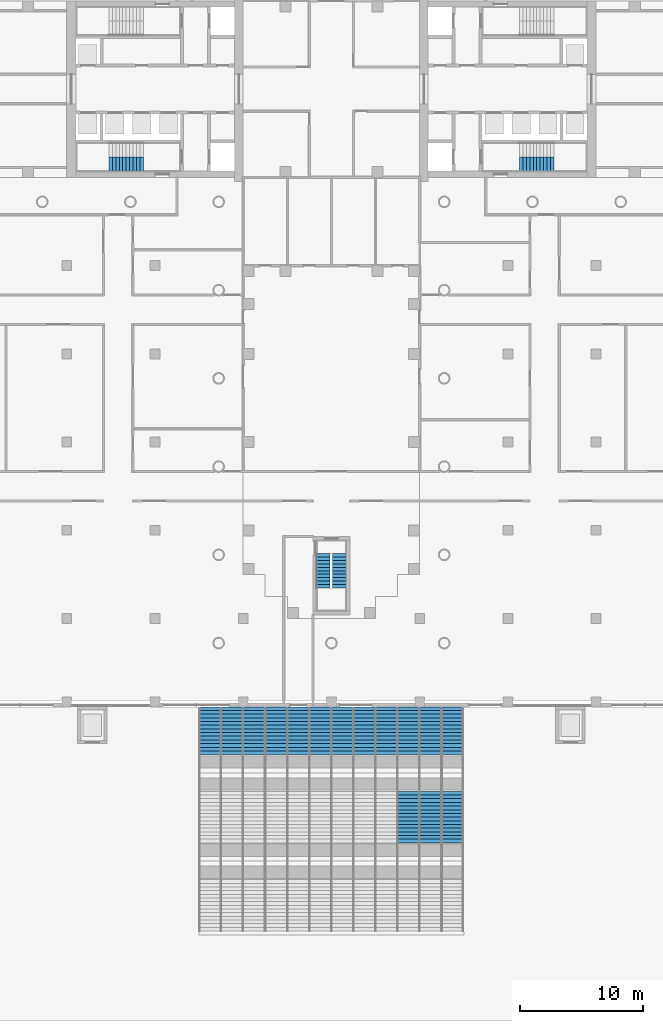
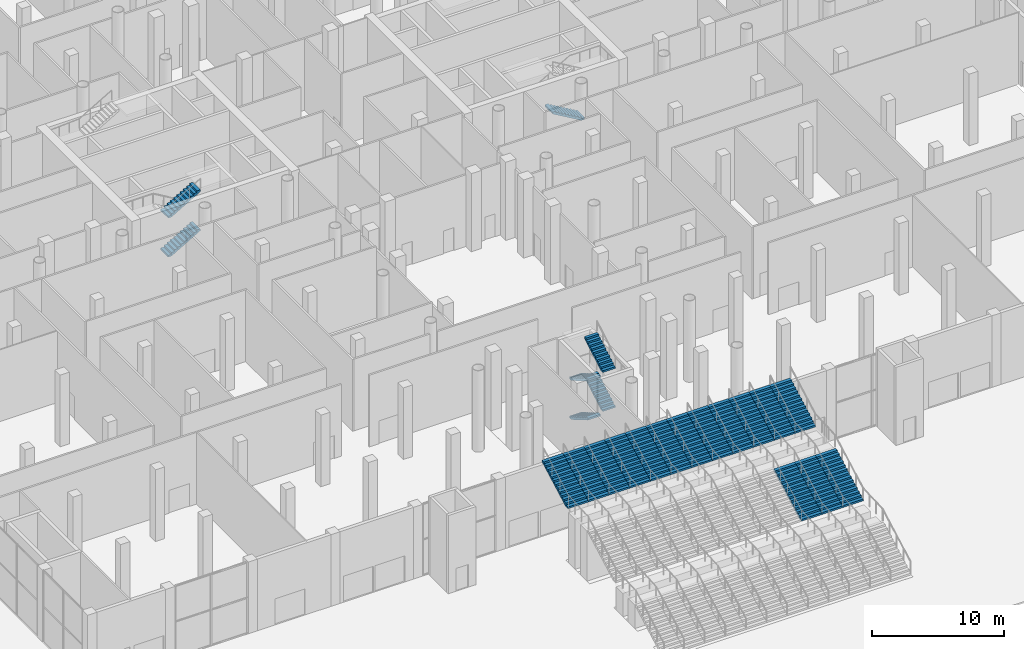
# One storey, part 32 of 44: 22 stair flights, 4 elements without a shape of their own.
"""IFC4 building model written with IfcOpenShell, lengths in metres."""

from ifc_helpers import new_model, si_unit, direction, frame, origin, place, context, subcontext, project, spatial, polyline, outline, extrude, material, type_object, element, aggregate, save


model = new_model("IFC4")

# Units and contexts
model_context = context("Model", 3, precision=1e-05, world=origin(), true_north=direction((0.0, 1.0)))
body_context = subcontext(model_context, "Body", "Model", "MODEL_VIEW")
ifc_project = project(units=[si_unit("LENGTHUNIT", "METRE"), si_unit("AREAUNIT", "SQUARE_METRE"), si_unit("VOLUMEUNIT", "CUBIC_METRE"), si_unit("PLANEANGLEUNIT", "RADIAN"), si_unit("MASSUNIT", "GRAM", prefix="KILO")], contexts=[model_context])

# Site, building, storey
site_placement = place(None, origin())
site = spatial("IfcSite", under=ifc_project, at=site_placement, CompositionType="ELEMENT")
building_placement = place(site_placement, origin())
building = spatial("IfcBuilding", under=site, at=building_placement, Name="Fustian Cross Tower", CompositionType="ELEMENT")
storey_placement = place(building_placement, origin())
storey = spatial("IfcBuildingStorey", under=building, at=storey_placement, Name="L00", CompositionType="ELEMENT", Elevation=0.0)

# Stair, stair flights
ifc_material_1 = material(Name="Concrete C40/50", Category="concrete")
stair_type_1 = type_object("IfcStairType", Name="PUBLIC STAIR", PredefinedType="STRAIGHT_RUN_STAIR", material=ifc_material_1)
stair_1_placement = place(storey_placement, origin())
stair_1 = element("IfcStair", 1, at=stair_1_placement, inside=storey, type_object=stair_type_1, Name="Public street stair", PredefinedType="STRAIGHT_RUN_STAIR")
ifc_material_2 = material(Name="Concrete C40/50", Category="concrete")
stair_flight_type_1 = type_object("IfcStairFlightType", Name="PUBLIC STAIR FLIGHT", PredefinedType="STRAIGHT", material=ifc_material_2)
stair_flight_1_placement = place(storey_placement, frame((6.300048828125, -61.5, 2.45458984375), z_axis=(0.0, 0.0, 1.0), x_axis=(0.0, 1.0, 0.0)))
stair_flight_1 = element("IfcStairFlight", 2, at=stair_flight_1_placement, type_object=stair_flight_type_1, Name="ST7 flight 22", NumberOfRisers=15, NumberOfTreads=14, PredefinedType="STRAIGHT", RiserHeight=0.163636364, TreadLength=0.3, context=body_context, shape_type="SweptSolid", body=[
    extrude(outline(polyline([(0.0, 0.0), (0.0, 0.16357421875), (0.300048828125, 0.16357421875), (0.300048828125, 0.327392578125), (0.60009765625, 0.327392578125), (0.60009765625, 0.490966796875), (0.89990234375, 0.490966796875), (0.89990234375, 0.654541015625), (1.199951171875, 0.654541015625), (1.199951171875, 0.818115234375), (1.5, 0.818115234375), (1.5, 0.98193359375), (1.800048828125, 0.98193359375), (1.800048828125, 1.1455078125), (2.10009765625, 1.1455078125), (2.10009765625, 1.30908203125), (2.39990234375, 1.30908203125), (2.39990234375, 1.47265625), (2.699951171875, 1.47265625), (2.699951171875, 1.636474609375), (3.0, 1.636474609375), (3.0, 1.800048828125), (3.300048828125, 1.800048828125), (3.300048828125, 1.963623046875), (3.60009765625, 1.963623046875), (3.60009765625, 2.127197265625), (3.89990234375, 2.127197265625), (3.89990234375, 2.291015625), (4.199951171875, 2.291015625), (4.199951171875, 2.45458984375), (4.199951171875, 2.1201171875), (0.31298828125, 0.0), (0.0, 0.0)])), frame((0.0, 0.89990234375, 0.0), z_axis=(0.0, -1.0, 0.0), x_axis=(1.0, 0.0, 0.0)), (0.0, 0.0, 1.0), 1.800048828125),
])
stair_flight_2_placement = place(storey_placement, frame((8.10009765625, -61.5, 2.45458984375), z_axis=(0.0, 0.0, 1.0), x_axis=(0.0, 1.0, 0.0)))
stair_flight_2 = element("IfcStairFlight", 3, at=stair_flight_2_placement, type_object=stair_flight_type_1, Name="ST7 flight 23", NumberOfRisers=15, NumberOfTreads=14, PredefinedType="STRAIGHT", RiserHeight=0.163636364, TreadLength=0.3, context=body_context, shape_type="SweptSolid", body=[
    extrude(outline(polyline([(0.0, 0.0), (0.0, 0.16357421875), (0.300048828125, 0.16357421875), (0.300048828125, 0.327392578125), (0.60009765625, 0.327392578125), (0.60009765625, 0.490966796875), (0.89990234375, 0.490966796875), (0.89990234375, 0.654541015625), (1.199951171875, 0.654541015625), (1.199951171875, 0.818115234375), (1.5, 0.818115234375), (1.5, 0.98193359375), (1.800048828125, 0.98193359375), (1.800048828125, 1.1455078125), (2.10009765625, 1.1455078125), (2.10009765625, 1.30908203125), (2.39990234375, 1.30908203125), (2.39990234375, 1.47265625), (2.699951171875, 1.47265625), (2.699951171875, 1.636474609375), (3.0, 1.636474609375), (3.0, 1.800048828125), (3.300048828125, 1.800048828125), (3.300048828125, 1.963623046875), (3.60009765625, 1.963623046875), (3.60009765625, 2.127197265625), (3.89990234375, 2.127197265625), (3.89990234375, 2.291015625), (4.199951171875, 2.291015625), (4.199951171875, 2.45458984375), (4.199951171875, 2.1201171875), (0.31298828125, 0.0), (0.0, 0.0)])), frame((0.0, 0.89990234375, 0.0), z_axis=(0.0, -1.0, 0.0), x_axis=(1.0, 0.0, 0.0)), (0.0, 0.0, 1.0), 1.800048828125),
])
stair_flight_3_placement = place(storey_placement, frame((9.89990234375, -61.5, 2.45458984375), z_axis=(0.0, 0.0, 1.0), x_axis=(0.0, 1.0, 0.0)))
stair_flight_3 = element("IfcStairFlight", 4, at=stair_flight_3_placement, type_object=stair_flight_type_1, Name="ST7 flight 24", NumberOfRisers=15, NumberOfTreads=14, PredefinedType="STRAIGHT", RiserHeight=0.163636364, TreadLength=0.3, context=body_context, shape_type="SweptSolid", body=[
    extrude(outline(polyline([(0.0, 0.0), (0.0, 0.16357421875), (0.300048828125, 0.16357421875), (0.300048828125, 0.327392578125), (0.60009765625, 0.327392578125), (0.60009765625, 0.490966796875), (0.89990234375, 0.490966796875), (0.89990234375, 0.654541015625), (1.199951171875, 0.654541015625), (1.199951171875, 0.818115234375), (1.5, 0.818115234375), (1.5, 0.98193359375), (1.800048828125, 0.98193359375), (1.800048828125, 1.1455078125), (2.10009765625, 1.1455078125), (2.10009765625, 1.30908203125), (2.39990234375, 1.30908203125), (2.39990234375, 1.47265625), (2.699951171875, 1.47265625), (2.699951171875, 1.636474609375), (3.0, 1.636474609375), (3.0, 1.800048828125), (3.300048828125, 1.800048828125), (3.300048828125, 1.963623046875), (3.60009765625, 1.963623046875), (3.60009765625, 2.127197265625), (3.89990234375, 2.127197265625), (3.89990234375, 2.291015625), (4.199951171875, 2.291015625), (4.199951171875, 2.45458984375), (4.199951171875, 2.1201171875), (0.31298828125, 0.0), (0.0, 0.0)])), frame((0.0, 0.89990234375, 0.0), z_axis=(0.0, -1.0, 0.0), x_axis=(1.0, 0.0, 0.0)), (0.0, 0.0, 1.0), 1.800048828125),
])
stair_flight_4_placement = place(storey_placement, frame((-9.89990234375, -54.300048828125, 4.9091796875), z_axis=(0.0, 0.0, 1.0), x_axis=(0.0, 1.0, 0.0)))
stair_flight_4 = element("IfcStairFlight", 5, at=stair_flight_4_placement, type_object=stair_flight_type_1, Name="ST7 flight 25", NumberOfRisers=14, NumberOfTreads=13, PredefinedType="STRAIGHT", RiserHeight=0.163636364, TreadLength=0.3, context=body_context, shape_type="SweptSolid", body=[
    extrude(outline(polyline([(0.0, 0.0), (0.0, 0.16357421875), (0.300048828125, 0.16357421875), (0.300048828125, 0.327392578125), (0.60009765625, 0.327392578125), (0.60009765625, 0.490966796875), (0.89990234375, 0.490966796875), (0.89990234375, 0.654541015625), (1.199951171875, 0.654541015625), (1.199951171875, 0.818115234375), (1.5, 0.818115234375), (1.5, 0.98193359375), (1.800048828125, 0.98193359375), (1.800048828125, 1.1455078125), (2.10009765625, 1.1455078125), (2.10009765625, 1.30908203125), (2.39990234375, 1.30908203125), (2.39990234375, 1.47265625), (2.699951171875, 1.47265625), (2.699951171875, 1.636474609375), (3.0, 1.636474609375), (3.0, 1.800048828125), (3.300048828125, 1.800048828125), (3.300048828125, 1.963623046875), (3.60009765625, 1.963623046875), (3.60009765625, 2.127197265625), (3.89990234375, 2.127197265625), (3.89990234375, 2.291015625), (3.89990234375, 1.95654296875), (0.31298828125, 0.0), (0.0, 0.0)])), frame((0.0, 0.89990234375, 0.0), z_axis=(0.0, -1.0, 0.0), x_axis=(1.0, 0.0, 0.0)), (0.0, 0.0, 1.0), 1.800048828125),
])
stair_flight_5_placement = place(storey_placement, frame((-8.10009765625, -54.300048828125, 4.9091796875), z_axis=(0.0, 0.0, 1.0), x_axis=(0.0, 1.0, 0.0)))
stair_flight_5 = element("IfcStairFlight", 6, at=stair_flight_5_placement, type_object=stair_flight_type_1, Name="ST7 flight 26", NumberOfRisers=14, NumberOfTreads=13, PredefinedType="STRAIGHT", RiserHeight=0.163636364, TreadLength=0.3, context=body_context, shape_type="SweptSolid", body=[
    extrude(outline(polyline([(0.0, 0.0), (0.0, 0.16357421875), (0.300048828125, 0.16357421875), (0.300048828125, 0.327392578125), (0.60009765625, 0.327392578125), (0.60009765625, 0.490966796875), (0.89990234375, 0.490966796875), (0.89990234375, 0.654541015625), (1.199951171875, 0.654541015625), (1.199951171875, 0.818115234375), (1.5, 0.818115234375), (1.5, 0.98193359375), (1.800048828125, 0.98193359375), (1.800048828125, 1.1455078125), (2.10009765625, 1.1455078125), (2.10009765625, 1.30908203125), (2.39990234375, 1.30908203125), (2.39990234375, 1.47265625), (2.699951171875, 1.47265625), (2.699951171875, 1.636474609375), (3.0, 1.636474609375), (3.0, 1.800048828125), (3.300048828125, 1.800048828125), (3.300048828125, 1.963623046875), (3.60009765625, 1.963623046875), (3.60009765625, 2.127197265625), (3.89990234375, 2.127197265625), (3.89990234375, 2.291015625), (3.89990234375, 1.95654296875), (0.31298828125, 0.0), (0.0, 0.0)])), frame((0.0, 0.89990234375, 0.0), z_axis=(0.0, -1.0, 0.0), x_axis=(1.0, 0.0, 0.0)), (0.0, 0.0, 1.0), 1.800048828125),
])
stair_flight_6_placement = place(storey_placement, frame((-6.300048828125, -54.300048828125, 4.9091796875), z_axis=(0.0, 0.0, 1.0), x_axis=(0.0, 1.0, 0.0)))
stair_flight_6 = element("IfcStairFlight", 7, at=stair_flight_6_placement, type_object=stair_flight_type_1, Name="ST7 flight 27", NumberOfRisers=14, NumberOfTreads=13, PredefinedType="STRAIGHT", RiserHeight=0.163636364, TreadLength=0.3, context=body_context, shape_type="SweptSolid", body=[
    extrude(outline(polyline([(0.0, 0.0), (0.0, 0.16357421875), (0.300048828125, 0.16357421875), (0.300048828125, 0.327392578125), (0.60009765625, 0.327392578125), (0.60009765625, 0.490966796875), (0.89990234375, 0.490966796875), (0.89990234375, 0.654541015625), (1.199951171875, 0.654541015625), (1.199951171875, 0.818115234375), (1.5, 0.818115234375), (1.5, 0.98193359375), (1.800048828125, 0.98193359375), (1.800048828125, 1.1455078125), (2.10009765625, 1.1455078125), (2.10009765625, 1.30908203125), (2.39990234375, 1.30908203125), (2.39990234375, 1.47265625), (2.699951171875, 1.47265625), (2.699951171875, 1.636474609375), (3.0, 1.636474609375), (3.0, 1.800048828125), (3.300048828125, 1.800048828125), (3.300048828125, 1.963623046875), (3.60009765625, 1.963623046875), (3.60009765625, 2.127197265625), (3.89990234375, 2.127197265625), (3.89990234375, 2.291015625), (3.89990234375, 1.95654296875), (0.31298828125, 0.0), (0.0, 0.0)])), frame((0.0, 0.89990234375, 0.0), z_axis=(0.0, -1.0, 0.0), x_axis=(1.0, 0.0, 0.0)), (0.0, 0.0, 1.0), 1.800048828125),
])
stair_flight_7_placement = place(storey_placement, frame((-4.5, -54.300048828125, 4.9091796875), z_axis=(0.0, 0.0, 1.0), x_axis=(0.0, 1.0, 0.0)))
stair_flight_7 = element("IfcStairFlight", 8, at=stair_flight_7_placement, type_object=stair_flight_type_1, Name="ST7 flight 28", NumberOfRisers=14, NumberOfTreads=13, PredefinedType="STRAIGHT", RiserHeight=0.163636364, TreadLength=0.3, context=body_context, shape_type="SweptSolid", body=[
    extrude(outline(polyline([(0.0, 0.0), (0.0, 0.16357421875), (0.300048828125, 0.16357421875), (0.300048828125, 0.327392578125), (0.60009765625, 0.327392578125), (0.60009765625, 0.490966796875), (0.89990234375, 0.490966796875), (0.89990234375, 0.654541015625), (1.199951171875, 0.654541015625), (1.199951171875, 0.818115234375), (1.5, 0.818115234375), (1.5, 0.98193359375), (1.800048828125, 0.98193359375), (1.800048828125, 1.1455078125), (2.10009765625, 1.1455078125), (2.10009765625, 1.30908203125), (2.39990234375, 1.30908203125), (2.39990234375, 1.47265625), (2.699951171875, 1.47265625), (2.699951171875, 1.636474609375), (3.0, 1.636474609375), (3.0, 1.800048828125), (3.300048828125, 1.800048828125), (3.300048828125, 1.963623046875), (3.60009765625, 1.963623046875), (3.60009765625, 2.127197265625), (3.89990234375, 2.127197265625), (3.89990234375, 2.291015625), (3.89990234375, 1.95654296875), (0.31298828125, 0.0), (0.0, 0.0)])), frame((0.0, 0.89990234375, 0.0), z_axis=(0.0, -1.0, 0.0), x_axis=(1.0, 0.0, 0.0)), (0.0, 0.0, 1.0), 1.800048828125),
])
stair_flight_8_placement = place(storey_placement, frame((-2.699951171875, -54.300048828125, 4.9091796875), z_axis=(0.0, 0.0, 1.0), x_axis=(0.0, 1.0, 0.0)))
stair_flight_8 = element("IfcStairFlight", 9, at=stair_flight_8_placement, type_object=stair_flight_type_1, Name="ST7 flight 29", NumberOfRisers=14, NumberOfTreads=13, PredefinedType="STRAIGHT", RiserHeight=0.163636364, TreadLength=0.3, context=body_context, shape_type="SweptSolid", body=[
    extrude(outline(polyline([(0.0, 0.0), (0.0, 0.16357421875), (0.300048828125, 0.16357421875), (0.300048828125, 0.327392578125), (0.60009765625, 0.327392578125), (0.60009765625, 0.490966796875), (0.89990234375, 0.490966796875), (0.89990234375, 0.654541015625), (1.199951171875, 0.654541015625), (1.199951171875, 0.818115234375), (1.5, 0.818115234375), (1.5, 0.98193359375), (1.800048828125, 0.98193359375), (1.800048828125, 1.1455078125), (2.10009765625, 1.1455078125), (2.10009765625, 1.30908203125), (2.39990234375, 1.30908203125), (2.39990234375, 1.47265625), (2.699951171875, 1.47265625), (2.699951171875, 1.636474609375), (3.0, 1.636474609375), (3.0, 1.800048828125), (3.300048828125, 1.800048828125), (3.300048828125, 1.963623046875), (3.60009765625, 1.963623046875), (3.60009765625, 2.127197265625), (3.89990234375, 2.127197265625), (3.89990234375, 2.291015625), (3.89990234375, 1.95654296875), (0.31298828125, 0.0), (0.0, 0.0)])), frame((0.0, 0.89990234375, 0.0), z_axis=(0.0, -1.0, 0.0), x_axis=(1.0, 0.0, 0.0)), (0.0, 0.0, 1.0), 1.800048828125),
])
stair_flight_9_placement = place(storey_placement, frame((-0.89990234375, -54.300048828125, 4.9091796875), z_axis=(0.0, 0.0, 1.0), x_axis=(0.0, 1.0, 0.0)))
stair_flight_9 = element("IfcStairFlight", 10, at=stair_flight_9_placement, type_object=stair_flight_type_1, Name="ST7 flight 30", NumberOfRisers=14, NumberOfTreads=13, PredefinedType="STRAIGHT", RiserHeight=0.163636364, TreadLength=0.3, context=body_context, shape_type="SweptSolid", body=[
    extrude(outline(polyline([(0.0, 0.0), (0.0, 0.16357421875), (0.300048828125, 0.16357421875), (0.300048828125, 0.327392578125), (0.60009765625, 0.327392578125), (0.60009765625, 0.490966796875), (0.89990234375, 0.490966796875), (0.89990234375, 0.654541015625), (1.199951171875, 0.654541015625), (1.199951171875, 0.818115234375), (1.5, 0.818115234375), (1.5, 0.98193359375), (1.800048828125, 0.98193359375), (1.800048828125, 1.1455078125), (2.10009765625, 1.1455078125), (2.10009765625, 1.30908203125), (2.39990234375, 1.30908203125), (2.39990234375, 1.47265625), (2.699951171875, 1.47265625), (2.699951171875, 1.636474609375), (3.0, 1.636474609375), (3.0, 1.800048828125), (3.300048828125, 1.800048828125), (3.300048828125, 1.963623046875), (3.60009765625, 1.963623046875), (3.60009765625, 2.127197265625), (3.89990234375, 2.127197265625), (3.89990234375, 2.291015625), (3.89990234375, 1.95654296875), (0.31298828125, 0.0), (0.0, 0.0)])), frame((0.0, 0.89990234375, 0.0), z_axis=(0.0, -1.0, 0.0), x_axis=(1.0, 0.0, 0.0)), (0.0, 0.0, 1.0), 1.800048828125),
])
stair_flight_10_placement = place(storey_placement, frame((0.89990234375, -54.300048828125, 4.9091796875), z_axis=(0.0, 0.0, 1.0), x_axis=(0.0, 1.0, 0.0)))
stair_flight_10 = element("IfcStairFlight", 11, at=stair_flight_10_placement, type_object=stair_flight_type_1, Name="ST7 flight 31", NumberOfRisers=14, NumberOfTreads=13, PredefinedType="STRAIGHT", RiserHeight=0.163636364, TreadLength=0.3, context=body_context, shape_type="SweptSolid", body=[
    extrude(outline(polyline([(0.0, 0.0), (0.0, 0.16357421875), (0.300048828125, 0.16357421875), (0.300048828125, 0.327392578125), (0.60009765625, 0.327392578125), (0.60009765625, 0.490966796875), (0.89990234375, 0.490966796875), (0.89990234375, 0.654541015625), (1.199951171875, 0.654541015625), (1.199951171875, 0.818115234375), (1.5, 0.818115234375), (1.5, 0.98193359375), (1.800048828125, 0.98193359375), (1.800048828125, 1.1455078125), (2.10009765625, 1.1455078125), (2.10009765625, 1.30908203125), (2.39990234375, 1.30908203125), (2.39990234375, 1.47265625), (2.699951171875, 1.47265625), (2.699951171875, 1.636474609375), (3.0, 1.636474609375), (3.0, 1.800048828125), (3.300048828125, 1.800048828125), (3.300048828125, 1.963623046875), (3.60009765625, 1.963623046875), (3.60009765625, 2.127197265625), (3.89990234375, 2.127197265625), (3.89990234375, 2.291015625), (3.89990234375, 1.95654296875), (0.31298828125, 0.0), (0.0, 0.0)])), frame((0.0, 0.89990234375, 0.0), z_axis=(0.0, -1.0, 0.0), x_axis=(1.0, 0.0, 0.0)), (0.0, 0.0, 1.0), 1.800048828125),
])
stair_flight_11_placement = place(storey_placement, frame((2.699951171875, -54.300048828125, 4.9091796875), z_axis=(0.0, 0.0, 1.0), x_axis=(0.0, 1.0, 0.0)))
stair_flight_11 = element("IfcStairFlight", 12, at=stair_flight_11_placement, type_object=stair_flight_type_1, Name="ST7 flight 32", NumberOfRisers=14, NumberOfTreads=13, PredefinedType="STRAIGHT", RiserHeight=0.163636364, TreadLength=0.3, context=body_context, shape_type="SweptSolid", body=[
    extrude(outline(polyline([(0.0, 0.0), (0.0, 0.16357421875), (0.300048828125, 0.16357421875), (0.300048828125, 0.327392578125), (0.60009765625, 0.327392578125), (0.60009765625, 0.490966796875), (0.89990234375, 0.490966796875), (0.89990234375, 0.654541015625), (1.199951171875, 0.654541015625), (1.199951171875, 0.818115234375), (1.5, 0.818115234375), (1.5, 0.98193359375), (1.800048828125, 0.98193359375), (1.800048828125, 1.1455078125), (2.10009765625, 1.1455078125), (2.10009765625, 1.30908203125), (2.39990234375, 1.30908203125), (2.39990234375, 1.47265625), (2.699951171875, 1.47265625), (2.699951171875, 1.636474609375), (3.0, 1.636474609375), (3.0, 1.800048828125), (3.300048828125, 1.800048828125), (3.300048828125, 1.963623046875), (3.60009765625, 1.963623046875), (3.60009765625, 2.127197265625), (3.89990234375, 2.127197265625), (3.89990234375, 2.291015625), (3.89990234375, 1.95654296875), (0.31298828125, 0.0), (0.0, 0.0)])), frame((0.0, 0.89990234375, 0.0), z_axis=(0.0, -1.0, 0.0), x_axis=(1.0, 0.0, 0.0)), (0.0, 0.0, 1.0), 1.800048828125),
])
stair_flight_12_placement = place(storey_placement, frame((4.5, -54.300048828125, 4.9091796875), z_axis=(0.0, 0.0, 1.0), x_axis=(0.0, 1.0, 0.0)))
stair_flight_12 = element("IfcStairFlight", 13, at=stair_flight_12_placement, type_object=stair_flight_type_1, Name="ST7 flight 33", NumberOfRisers=14, NumberOfTreads=13, PredefinedType="STRAIGHT", RiserHeight=0.163636364, TreadLength=0.3, context=body_context, shape_type="SweptSolid", body=[
    extrude(outline(polyline([(0.0, 0.0), (0.0, 0.16357421875), (0.300048828125, 0.16357421875), (0.300048828125, 0.327392578125), (0.60009765625, 0.327392578125), (0.60009765625, 0.490966796875), (0.89990234375, 0.490966796875), (0.89990234375, 0.654541015625), (1.199951171875, 0.654541015625), (1.199951171875, 0.818115234375), (1.5, 0.818115234375), (1.5, 0.98193359375), (1.800048828125, 0.98193359375), (1.800048828125, 1.1455078125), (2.10009765625, 1.1455078125), (2.10009765625, 1.30908203125), (2.39990234375, 1.30908203125), (2.39990234375, 1.47265625), (2.699951171875, 1.47265625), (2.699951171875, 1.636474609375), (3.0, 1.636474609375), (3.0, 1.800048828125), (3.300048828125, 1.800048828125), (3.300048828125, 1.963623046875), (3.60009765625, 1.963623046875), (3.60009765625, 2.127197265625), (3.89990234375, 2.127197265625), (3.89990234375, 2.291015625), (3.89990234375, 1.95654296875), (0.31298828125, 0.0), (0.0, 0.0)])), frame((0.0, 0.89990234375, 0.0), z_axis=(0.0, -1.0, 0.0), x_axis=(1.0, 0.0, 0.0)), (0.0, 0.0, 1.0), 1.800048828125),
])
stair_flight_13_placement = place(storey_placement, frame((6.300048828125, -54.300048828125, 4.9091796875), z_axis=(0.0, 0.0, 1.0), x_axis=(0.0, 1.0, 0.0)))
stair_flight_13 = element("IfcStairFlight", 14, at=stair_flight_13_placement, type_object=stair_flight_type_1, Name="ST7 flight 34", NumberOfRisers=14, NumberOfTreads=13, PredefinedType="STRAIGHT", RiserHeight=0.163636364, TreadLength=0.3, context=body_context, shape_type="SweptSolid", body=[
    extrude(outline(polyline([(0.0, 0.0), (0.0, 0.16357421875), (0.300048828125, 0.16357421875), (0.300048828125, 0.327392578125), (0.60009765625, 0.327392578125), (0.60009765625, 0.490966796875), (0.89990234375, 0.490966796875), (0.89990234375, 0.654541015625), (1.199951171875, 0.654541015625), (1.199951171875, 0.818115234375), (1.5, 0.818115234375), (1.5, 0.98193359375), (1.800048828125, 0.98193359375), (1.800048828125, 1.1455078125), (2.10009765625, 1.1455078125), (2.10009765625, 1.30908203125), (2.39990234375, 1.30908203125), (2.39990234375, 1.47265625), (2.699951171875, 1.47265625), (2.699951171875, 1.636474609375), (3.0, 1.636474609375), (3.0, 1.800048828125), (3.300048828125, 1.800048828125), (3.300048828125, 1.963623046875), (3.60009765625, 1.963623046875), (3.60009765625, 2.127197265625), (3.89990234375, 2.127197265625), (3.89990234375, 2.291015625), (3.89990234375, 1.95654296875), (0.31298828125, 0.0), (0.0, 0.0)])), frame((0.0, 0.89990234375, 0.0), z_axis=(0.0, -1.0, 0.0), x_axis=(1.0, 0.0, 0.0)), (0.0, 0.0, 1.0), 1.800048828125),
])
stair_flight_14_placement = place(storey_placement, frame((8.10009765625, -54.300048828125, 4.9091796875), z_axis=(0.0, 0.0, 1.0), x_axis=(0.0, 1.0, 0.0)))
stair_flight_14 = element("IfcStairFlight", 15, at=stair_flight_14_placement, type_object=stair_flight_type_1, Name="ST7 flight 35", NumberOfRisers=14, NumberOfTreads=13, PredefinedType="STRAIGHT", RiserHeight=0.163636364, TreadLength=0.3, context=body_context, shape_type="SweptSolid", body=[
    extrude(outline(polyline([(0.0, 0.0), (0.0, 0.16357421875), (0.300048828125, 0.16357421875), (0.300048828125, 0.327392578125), (0.60009765625, 0.327392578125), (0.60009765625, 0.490966796875), (0.89990234375, 0.490966796875), (0.89990234375, 0.654541015625), (1.199951171875, 0.654541015625), (1.199951171875, 0.818115234375), (1.5, 0.818115234375), (1.5, 0.98193359375), (1.800048828125, 0.98193359375), (1.800048828125, 1.1455078125), (2.10009765625, 1.1455078125), (2.10009765625, 1.30908203125), (2.39990234375, 1.30908203125), (2.39990234375, 1.47265625), (2.699951171875, 1.47265625), (2.699951171875, 1.636474609375), (3.0, 1.636474609375), (3.0, 1.800048828125), (3.300048828125, 1.800048828125), (3.300048828125, 1.963623046875), (3.60009765625, 1.963623046875), (3.60009765625, 2.127197265625), (3.89990234375, 2.127197265625), (3.89990234375, 2.291015625), (3.89990234375, 1.95654296875), (0.31298828125, 0.0), (0.0, 0.0)])), frame((0.0, 0.89990234375, 0.0), z_axis=(0.0, -1.0, 0.0), x_axis=(1.0, 0.0, 0.0)), (0.0, 0.0, 1.0), 1.800048828125),
])
stair_flight_15_placement = place(storey_placement, frame((9.89990234375, -54.300048828125, 4.9091796875), z_axis=(0.0, 0.0, 1.0), x_axis=(0.0, 1.0, 0.0)))
stair_flight_15 = element("IfcStairFlight", 16, at=stair_flight_15_placement, type_object=stair_flight_type_1, Name="ST7 flight 36", NumberOfRisers=14, NumberOfTreads=13, PredefinedType="STRAIGHT", RiserHeight=0.163636364, TreadLength=0.3, context=body_context, shape_type="SweptSolid", body=[
    extrude(outline(polyline([(0.0, 0.0), (0.0, 0.16357421875), (0.300048828125, 0.16357421875), (0.300048828125, 0.327392578125), (0.60009765625, 0.327392578125), (0.60009765625, 0.490966796875), (0.89990234375, 0.490966796875), (0.89990234375, 0.654541015625), (1.199951171875, 0.654541015625), (1.199951171875, 0.818115234375), (1.5, 0.818115234375), (1.5, 0.98193359375), (1.800048828125, 0.98193359375), (1.800048828125, 1.1455078125), (2.10009765625, 1.1455078125), (2.10009765625, 1.30908203125), (2.39990234375, 1.30908203125), (2.39990234375, 1.47265625), (2.699951171875, 1.47265625), (2.699951171875, 1.636474609375), (3.0, 1.636474609375), (3.0, 1.800048828125), (3.300048828125, 1.800048828125), (3.300048828125, 1.963623046875), (3.60009765625, 1.963623046875), (3.60009765625, 2.127197265625), (3.89990234375, 2.127197265625), (3.89990234375, 2.291015625), (3.89990234375, 1.95654296875), (0.31298828125, 0.0), (0.0, 0.0)])), frame((0.0, 0.89990234375, 0.0), z_axis=(0.0, -1.0, 0.0), x_axis=(1.0, 0.0, 0.0)), (0.0, 0.0, 1.0), 1.800048828125),
])
aggregate(stair_1, [stair_flight_1, stair_flight_2, stair_flight_3, stair_flight_4, stair_flight_5, stair_flight_6, stair_flight_7, stair_flight_8, stair_flight_9, stair_flight_10, stair_flight_11, stair_flight_12, stair_flight_13, stair_flight_14, stair_flight_15])

ifc_material_3 = material(Name="Concrete C50/60", Category="concrete")
stair_type_2 = type_object("IfcStairType", Name="STAIR 1100 HALF TURN", PredefinedType="HALF_TURN_STAIR", material=ifc_material_3)
stair_2_placement = place(storey_placement, origin())
stair_2 = element("IfcStair", 17, at=stair_2_placement, inside=storey, type_object=stair_type_2, Name="Stair ST6", PredefinedType="HALF_TURN_STAIR")
ifc_material_4 = material(Name="Concrete C50/60", Category="concrete")
stair_flight_type_2 = type_object("IfcStairFlightType", Name="STAIR FLIGHT 1100", PredefinedType="STRAIGHT", material=ifc_material_4)
stair_flight_16_placement = place(storey_placement, frame((-0.64990234375, -37.89990234375, 0.0), z_axis=(0.0, 0.0, 1.0), x_axis=(0.0, -1.0, 0.0)))
stair_flight_16 = element("IfcStairFlight", 18, at=stair_flight_16_placement, type_object=stair_flight_type_2, Name="ST6 flight 1", NumberOfRisers=11, NumberOfTreads=10, PredefinedType="STRAIGHT", RiserHeight=0.163636364, TreadLength=0.28, context=body_context, shape_type="SweptSolid", body=[
    extrude(outline(polyline([(0.0, 0.0), (0.0, 0.16357421875), (0.280029296875, 0.16357421875), (0.280029296875, 0.327392578125), (0.56005859375, 0.327392578125), (0.56005859375, 0.490966796875), (0.840087890625, 0.490966796875), (0.840087890625, 0.654541015625), (1.1201171875, 0.654541015625), (1.1201171875, 0.818115234375), (1.39990234375, 0.818115234375), (1.39990234375, 0.98193359375), (1.679931640625, 0.98193359375), (1.679931640625, 1.1455078125), (1.9599609375, 1.1455078125), (1.9599609375, 1.30908203125), (2.239990234375, 1.30908203125), (2.239990234375, 1.47265625), (2.52001953125, 1.47265625), (2.52001953125, 1.636474609375), (2.800048828125, 1.636474609375), (2.800048828125, 1.800048828125), (2.800048828125, 1.462646484375), (0.297119140625, 0.0), (0.0, 0.0)])), frame((0.0, 0.550048828125, 0.0), z_axis=(0.0, -1.0, 0.0), x_axis=(1.0, 0.0, 0.0)), (0.0, 0.0, 1.0), 1.10009765625),
])
stair_flight_17_placement = place(storey_placement, frame((0.64990234375, -40.699951171875, 1.800048828125), z_axis=(0.0, 0.0, 1.0), x_axis=(0.0, 1.0, 0.0)))
stair_flight_17 = element("IfcStairFlight", 19, at=stair_flight_17_placement, type_object=stair_flight_type_2, Name="ST6 flight 2", NumberOfRisers=11, NumberOfTreads=10, PredefinedType="STRAIGHT", RiserHeight=0.163636364, TreadLength=0.28, context=body_context, shape_type="SweptSolid", body=[
    extrude(outline(polyline([(0.0, 0.0), (0.0, 0.16357421875), (0.280029296875, 0.16357421875), (0.280029296875, 0.327392578125), (0.56005859375, 0.327392578125), (0.56005859375, 0.490966796875), (0.840087890625, 0.490966796875), (0.840087890625, 0.654541015625), (1.1201171875, 0.654541015625), (1.1201171875, 0.818115234375), (1.39990234375, 0.818115234375), (1.39990234375, 0.98193359375), (1.679931640625, 0.98193359375), (1.679931640625, 1.1455078125), (1.9599609375, 1.1455078125), (1.9599609375, 1.30908203125), (2.239990234375, 1.30908203125), (2.239990234375, 1.47265625), (2.52001953125, 1.47265625), (2.52001953125, 1.636474609375), (2.800048828125, 1.636474609375), (2.800048828125, 1.800048828125), (2.800048828125, 1.462646484375), (0.297119140625, 0.0), (0.0, 0.0)])), frame((0.0, 0.550048828125, 0.0), z_axis=(0.0, -1.0, 0.0), x_axis=(1.0, 0.0, 0.0)), (0.0, 0.0, 1.0), 1.10009765625),
])
stair_flight_18_placement = place(storey_placement, frame((-0.64990234375, -37.89990234375, 3.60009765625), z_axis=(0.0, 0.0, 1.0), x_axis=(0.0, -1.0, 0.0)))
stair_flight_18 = element("IfcStairFlight", 20, at=stair_flight_18_placement, type_object=stair_flight_type_2, Name="ST6 flight 3", NumberOfRisers=11, NumberOfTreads=10, PredefinedType="STRAIGHT", RiserHeight=0.163636364, TreadLength=0.28, context=body_context, shape_type="SweptSolid", body=[
    extrude(outline(polyline([(0.0, 0.0), (0.0, 0.16357421875), (0.280029296875, 0.16357421875), (0.280029296875, 0.327392578125), (0.56005859375, 0.327392578125), (0.56005859375, 0.490966796875), (0.840087890625, 0.490966796875), (0.840087890625, 0.654541015625), (1.1201171875, 0.654541015625), (1.1201171875, 0.818115234375), (1.39990234375, 0.818115234375), (1.39990234375, 0.98193359375), (1.679931640625, 0.98193359375), (1.679931640625, 1.1455078125), (1.9599609375, 1.1455078125), (1.9599609375, 1.30908203125), (2.239990234375, 1.30908203125), (2.239990234375, 1.47265625), (2.52001953125, 1.47265625), (2.52001953125, 1.636474609375), (2.800048828125, 1.636474609375), (2.800048828125, 1.800048828125), (2.800048828125, 1.462646484375), (0.297119140625, 0.0), (0.0, 0.0)])), frame((0.0, 0.550048828125, 0.0), z_axis=(0.0, -1.0, 0.0), x_axis=(1.0, 0.0, 0.0)), (0.0, 0.0, 1.0), 1.10009765625),
])
stair_flight_19_placement = place(storey_placement, frame((0.64990234375, -40.699951171875, 5.39990234375), z_axis=(0.0, 0.0, 1.0), x_axis=(0.0, 1.0, 0.0)))
stair_flight_19 = element("IfcStairFlight", 21, at=stair_flight_19_placement, type_object=stair_flight_type_2, Name="ST6 flight 4", NumberOfRisers=11, NumberOfTreads=10, PredefinedType="STRAIGHT", RiserHeight=0.163636364, TreadLength=0.28, context=body_context, shape_type="SweptSolid", body=[
    extrude(outline(polyline([(0.0, 0.0), (0.0, 0.16357421875), (0.280029296875, 0.16357421875), (0.280029296875, 0.327392578125), (0.56005859375, 0.327392578125), (0.56005859375, 0.490966796875), (0.840087890625, 0.490966796875), (0.840087890625, 0.654541015625), (1.1201171875, 0.654541015625), (1.1201171875, 0.818115234375), (1.39990234375, 0.818115234375), (1.39990234375, 0.98193359375), (1.679931640625, 0.98193359375), (1.679931640625, 1.1455078125), (1.9599609375, 1.1455078125), (1.9599609375, 1.30908203125), (2.239990234375, 1.30908203125), (2.239990234375, 1.47265625), (2.52001953125, 1.47265625), (2.52001953125, 1.636474609375), (2.800048828125, 1.636474609375), (2.800048828125, 1.800048828125), (2.800048828125, 1.462646484375), (0.297119140625, 0.0), (0.0, 0.0)])), frame((0.0, 0.550048828125, 0.0), z_axis=(0.0, -1.0, 0.0), x_axis=(1.0, 0.0, 0.0)), (0.0, 0.0, 1.0), 1.10009765625),
])
aggregate(stair_2, [stair_flight_16, stair_flight_17, stair_flight_18, stair_flight_19])

# Stair, stair flight
ifc_material_5 = material(Name="Concrete C50/60", Category="concrete")
stair_type_3 = type_object("IfcStairType", Name="STAIR 1150 HALF TURN", PredefinedType="HALF_TURN_STAIR", material=ifc_material_5)
stair_3_placement = place(storey_placement, origin())
stair_3 = element("IfcStair", 22, at=stair_3_placement, inside=storey, type_object=stair_type_3, Name="Stair ST2", PredefinedType="HALF_TURN_STAIR")
ifc_material_6 = material(Name="Concrete C50/60", Category="concrete")
stair_flight_type_3 = type_object("IfcStairFlightType", Name="STAIR FLIGHT 1150", PredefinedType="STRAIGHT", material=ifc_material_6)
stair_flight_20_placement = place(storey_placement, frame((18.14990234375, -6.125, 1.800048828125), z_axis=(0.0, 0.0, 1.0), x_axis=(-1.0, 0.0, 0.0)))
stair_flight_20 = element("IfcStairFlight", 23, at=stair_flight_20_placement, type_object=stair_flight_type_3, Name="ST2 flight 2", NumberOfRisers=11, NumberOfTreads=10, PredefinedType="STRAIGHT", RiserHeight=0.163636364, TreadLength=0.28, context=body_context, shape_type="SweptSolid", body=[
    extrude(outline(polyline([(0.0, 0.0), (0.0, 0.16357421875), (0.280029296875, 0.16357421875), (0.280029296875, 0.327392578125), (0.56005859375, 0.327392578125), (0.56005859375, 0.490966796875), (0.840087890625, 0.490966796875), (0.840087890625, 0.654541015625), (1.1201171875, 0.654541015625), (1.1201171875, 0.818115234375), (1.39990234375, 0.818115234375), (1.39990234375, 0.98193359375), (1.679931640625, 0.98193359375), (1.679931640625, 1.1455078125), (1.9599609375, 1.1455078125), (1.9599609375, 1.30908203125), (2.239990234375, 1.30908203125), (2.239990234375, 1.47265625), (2.52001953125, 1.47265625), (2.52001953125, 1.636474609375), (2.800048828125, 1.636474609375), (2.800048828125, 1.800048828125), (2.800048828125, 1.462646484375), (0.297119140625, 0.0), (0.0, 0.0)])), frame((0.0, 0.574951171875, 0.0), z_axis=(0.0, -1.0, 0.0), x_axis=(1.0, 0.0, 0.0)), (0.0, 0.0, 1.0), 1.14990234375),
])
aggregate(stair_3, [stair_flight_20])

# Stair, stair flights
stair_4_placement = place(storey_placement, origin())
stair_4 = element("IfcStair", 24, at=stair_4_placement, inside=storey, type_object=stair_type_3, Name="Stair ST4", PredefinedType="HALF_TURN_STAIR")
stair_flight_21_placement = place(storey_placement, frame((-18.14990234375, -6.125, 1.800048828125), z_axis=(0.0, 0.0, 1.0), x_axis=(1.0, 0.0, 0.0)))
stair_flight_21 = element("IfcStairFlight", 25, at=stair_flight_21_placement, type_object=stair_flight_type_3, Name="ST4 flight 2", NumberOfRisers=11, NumberOfTreads=10, PredefinedType="STRAIGHT", RiserHeight=0.163636364, TreadLength=0.28, context=body_context, shape_type="SweptSolid", body=[
    extrude(outline(polyline([(0.0, 0.0), (0.0, 0.16357421875), (0.280029296875, 0.16357421875), (0.280029296875, 0.327392578125), (0.56005859375, 0.327392578125), (0.56005859375, 0.490966796875), (0.840087890625, 0.490966796875), (0.840087890625, 0.654541015625), (1.1201171875, 0.654541015625), (1.1201171875, 0.818115234375), (1.39990234375, 0.818115234375), (1.39990234375, 0.98193359375), (1.679931640625, 0.98193359375), (1.679931640625, 1.1455078125), (1.9599609375, 1.1455078125), (1.9599609375, 1.30908203125), (2.239990234375, 1.30908203125), (2.239990234375, 1.47265625), (2.52001953125, 1.47265625), (2.52001953125, 1.636474609375), (2.800048828125, 1.636474609375), (2.800048828125, 1.800048828125), (2.800048828125, 1.462646484375), (0.297119140625, 0.0), (0.0, 0.0)])), frame((0.0, 0.574951171875, 0.0), z_axis=(0.0, -1.0, 0.0), x_axis=(1.0, 0.0, 0.0)), (0.0, 0.0, 1.0), 1.14990234375),
])
stair_flight_22_placement = place(storey_placement, frame((-18.14990234375, -6.125, 5.39990234375), z_axis=(0.0, 0.0, 1.0), x_axis=(1.0, 0.0, 0.0)))
stair_flight_22 = element("IfcStairFlight", 26, at=stair_flight_22_placement, type_object=stair_flight_type_3, Name="ST4 flight 4", NumberOfRisers=11, NumberOfTreads=10, PredefinedType="STRAIGHT", RiserHeight=0.163636364, TreadLength=0.28, context=body_context, shape_type="SweptSolid", body=[
    extrude(outline(polyline([(0.0, 0.0), (0.0, 0.16357421875), (0.280029296875, 0.16357421875), (0.280029296875, 0.327392578125), (0.56005859375, 0.327392578125), (0.56005859375, 0.490966796875), (0.840087890625, 0.490966796875), (0.840087890625, 0.654541015625), (1.1201171875, 0.654541015625), (1.1201171875, 0.818115234375), (1.39990234375, 0.818115234375), (1.39990234375, 0.98193359375), (1.679931640625, 0.98193359375), (1.679931640625, 1.1455078125), (1.9599609375, 1.1455078125), (1.9599609375, 1.30908203125), (2.239990234375, 1.30908203125), (2.239990234375, 1.47265625), (2.52001953125, 1.47265625), (2.52001953125, 1.636474609375), (2.800048828125, 1.636474609375), (2.800048828125, 1.800048828125), (2.800048828125, 1.462646484375), (0.297119140625, 0.0), (0.0, 0.0)])), frame((0.0, 0.574951171875, 0.0), z_axis=(0.0, -1.0, 0.0), x_axis=(1.0, 0.0, 0.0)), (0.0, 0.0, 1.0), 1.14990234375),
])
aggregate(stair_4, [stair_flight_21, stair_flight_22])

save(model, "model.ifc")
